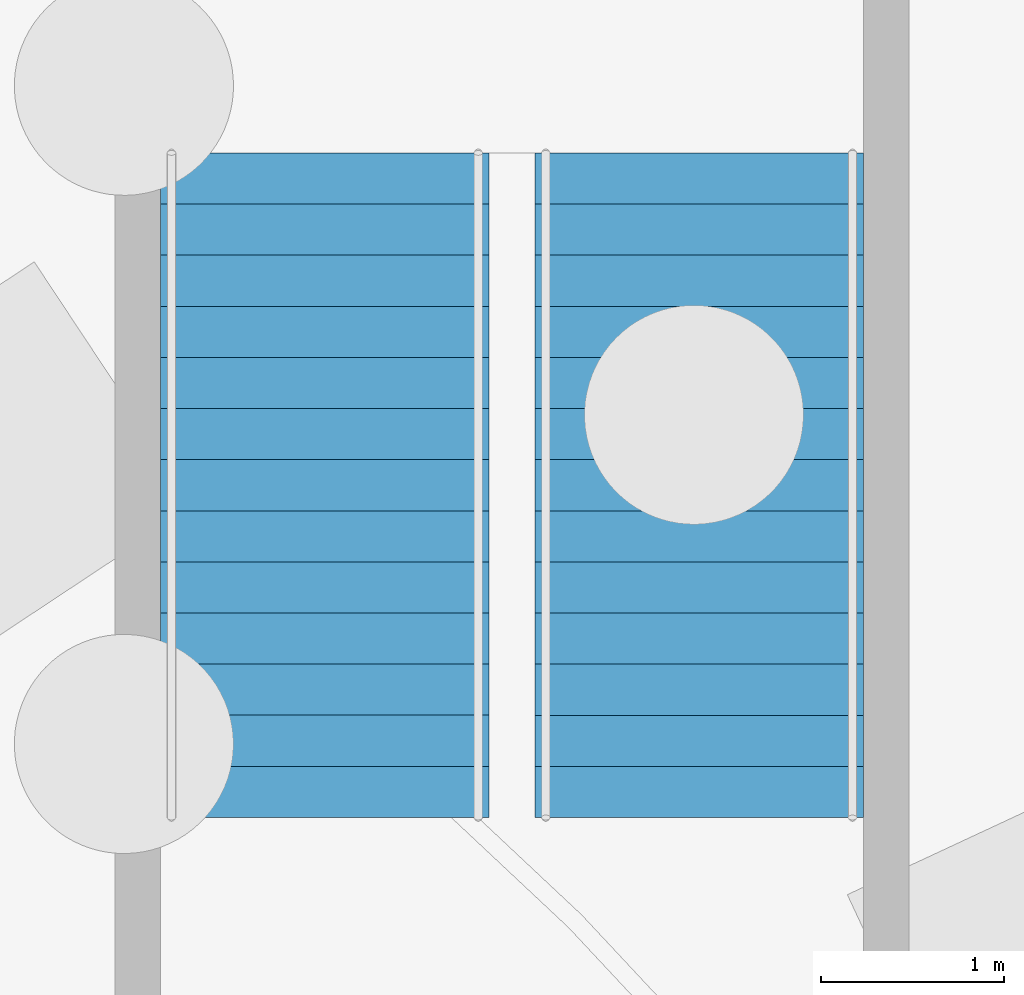
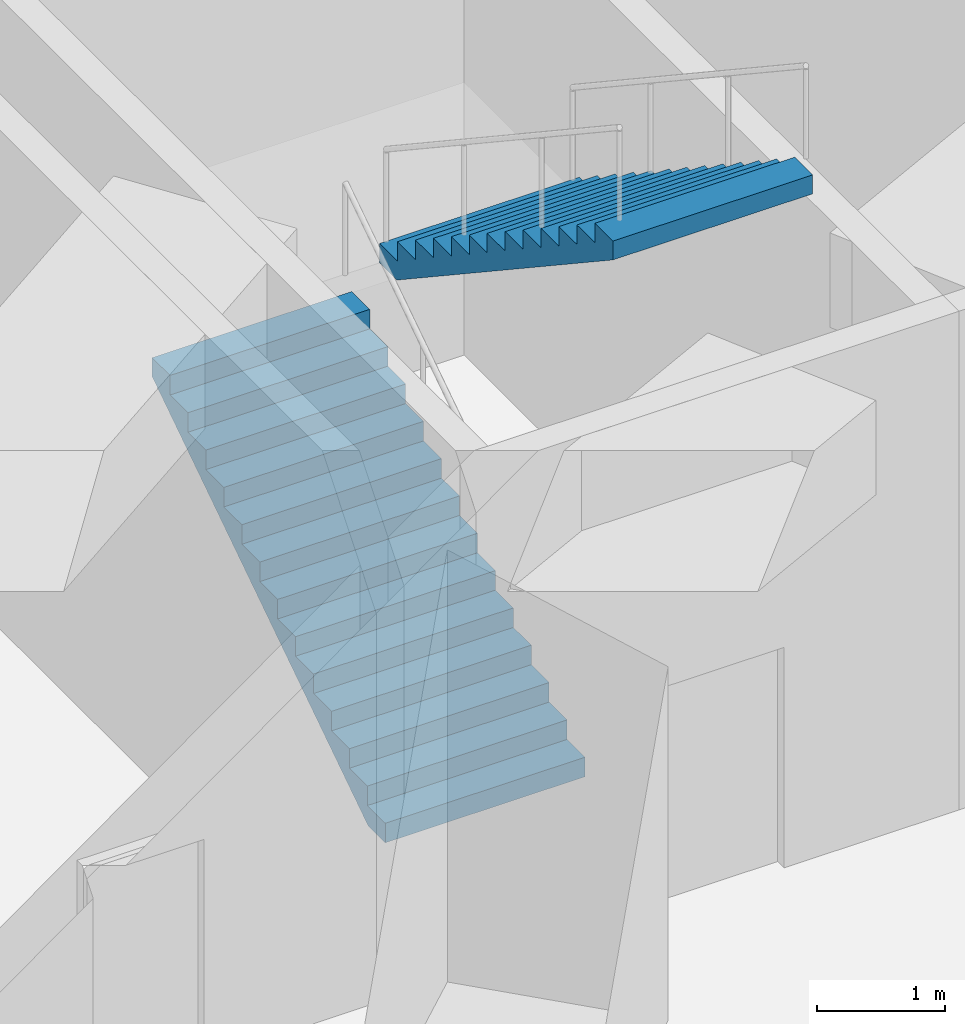
# One storey, part 14 of 18: 2 stair flights, 1 element without a shape of its own.
"""IFC4 building model written with IfcOpenShell, lengths in metres."""

from ifc_helpers import new_model, si_unit, direction, frame, origin, place, context, subcontext, project, spatial, polyline, outline, extrude, material, type_object, element, aggregate, save


model = new_model("IFC4")

# Units and contexts
model_context = context("Model", 3, precision=1e-05, world=origin(), true_north=direction((0.0, 1.0)))
body_context = subcontext(model_context, "Body", "Model", "MODEL_VIEW")
ifc_project = project(units=[si_unit("LENGTHUNIT", "METRE"), si_unit("AREAUNIT", "SQUARE_METRE"), si_unit("VOLUMEUNIT", "CUBIC_METRE"), si_unit("PLANEANGLEUNIT", "RADIAN"), si_unit("MASSUNIT", "GRAM", prefix="KILO")], contexts=[model_context])

# Site, building, storey
site_placement = place(None, origin())
site = spatial("IfcSite", under=ifc_project, at=site_placement, CompositionType="ELEMENT")
building_placement = place(site_placement, origin())
building = spatial("IfcBuilding", under=site, at=building_placement, Name="Taillehof Tower", CompositionType="ELEMENT")
storey_placement = place(building_placement, frame((0.0, 0.0, -10.39990234375)))
storey = spatial("IfcBuildingStorey", under=building, at=storey_placement, Name="B2", CompositionType="ELEMENT", Elevation=-10.39990234375)

# Stair, stair flights
ifc_material_1 = material(Name="Concrete C30/37", Category="concrete")
stair_type = type_object("IfcStairType", Name="Escape stair 1800 mm", PredefinedType="HALF_TURN_STAIR", material=ifc_material_1)
stair_placement = place(storey_placement, origin())
stair = element("IfcStair", 1, at=stair_placement, inside=storey, type_object=stair_type, Name="Escape stair ES5", PredefinedType="HALF_TURN_STAIR")
ifc_material_2 = material(Name="Concrete C30/37", Category="concrete")
stair_flight_type = type_object("IfcStairFlightType", Name="Stair flight 1800 mm", PredefinedType="STRAIGHT", material=ifc_material_2)
stair_flight_1_placement = place(storey_placement, frame((23.47509765625, 19.72509765625, 0.0), z_axis=(0.0, 0.0, 1.0), x_axis=(0.0, 1.0, 0.0)))
stair_flight_1 = element("IfcStairFlight", 2, at=stair_flight_1_placement, type_object=stair_flight_type, Name="ES5 flight 1", NumberOfRisers=14, NumberOfTreads=13, PredefinedType="STRAIGHT", RiserHeight=0.185714286, TreadLength=0.28, context=body_context, shape_type="SweptSolid", body=[
    extrude(outline(polyline([(0.0, 0.0), (0.0, 0.00439453125), (0.0, 0.008544921875), (0.0, 0.012939453125), (0.0, 0.017333984375), (0.0, 0.021484375), (0.0, 0.02587890625), (0.0, 0.0302734375), (0.0, 0.03466796875), (0.0, 0.038818359375), (0.0, 0.043212890625), (0.0, 0.047607421875), (0.0, 0.0517578125), (0.0, 0.05615234375), (0.0, 0.060546875), (0.0, 0.064697265625), (0.0, 0.069091796875), (0.0, 0.073486328125), (0.0, 0.07763671875), (0.0, 0.08203125), (0.0, 0.08642578125), (0.0, 0.090576171875), (0.0, 0.094970703125), (0.0, 0.099365234375), (0.0, 0.103759765625), (0.0, 0.10791015625), (0.0, 0.1123046875), (0.0, 0.11669921875), (0.0, 0.120849609375), (0.0, 0.125244140625), (0.0, 0.129638671875), (0.0, 0.1337890625), (0.0, 0.13818359375), (0.0, 0.142578125), (0.0, 0.146728515625), (0.0, 0.151123046875), (0.0, 0.155517578125), (0.0, 0.159912109375), (0.0, 0.1640625), (0.0, 0.16845703125), (0.0, 0.1728515625), (0.0, 0.177001953125), (0.0, 0.181396484375), (0.0, 0.185791015625), (0.280029296875, 0.185791015625), (0.280029296875, 0.371337890625), (0.56005859375, 0.371337890625), (0.56005859375, 0.55712890625), (0.840087890625, 0.55712890625), (0.840087890625, 0.742919921875), (1.1201171875, 0.742919921875), (1.1201171875, 0.928466796875), (1.39990234375, 0.928466796875), (1.39990234375, 1.1142578125), (1.679931640625, 1.1142578125), (1.679931640625, 1.300048828125), (1.9599609375, 1.300048828125), (1.9599609375, 1.485595703125), (2.239990234375, 1.485595703125), (2.239990234375, 1.67138671875), (2.52001953125, 1.67138671875), (2.52001953125, 1.857177734375), (2.800048828125, 1.857177734375), (2.800048828125, 2.04296875), (3.080078125, 2.04296875), (3.080078125, 2.228515625), (3.360107421875, 2.228515625), (3.360107421875, 2.414306640625), (3.639892578125, 2.414306640625), (3.639892578125, 2.41015625), (3.639892578125, 2.406005859375), (3.639892578125, 2.40185546875), (3.639892578125, 2.3974609375), (3.639892578125, 2.393310546875), (3.639892578125, 2.38916015625), (3.639892578125, 2.385009765625), (3.639892578125, 2.380859375), (3.639892578125, 2.376708984375), (3.639892578125, 2.37255859375), (3.639892578125, 2.3681640625), (3.639892578125, 2.364013671875), (3.639892578125, 2.35986328125), (3.639892578125, 2.355712890625), (3.639892578125, 2.3515625), (3.639892578125, 2.347412109375), (3.639892578125, 2.34326171875), (3.639892578125, 2.3388671875), (3.639892578125, 2.334716796875), (3.639892578125, 2.33056640625), (3.639892578125, 2.326416015625), (3.639892578125, 2.322265625), (3.639892578125, 2.318115234375), (3.639892578125, 2.31396484375), (3.639892578125, 2.309814453125), (3.639892578125, 2.305419921875), (3.639892578125, 2.30126953125), (3.639892578125, 2.297119140625), (3.639892578125, 2.29296875), (3.639892578125, 2.288818359375), (3.639892578125, 2.28466796875), (3.639892578125, 2.280517578125), (3.639892578125, 2.276123046875), (3.639892578125, 2.27197265625), (3.639892578125, 2.267822265625), (3.639892578125, 2.263671875), (3.639892578125, 2.259521484375), (3.639892578125, 2.25537109375), (3.639892578125, 2.251220703125), (3.639892578125, 2.2470703125), (3.639892578125, 2.24267578125), (3.639892578125, 2.238525390625), (3.639892578125, 2.234375), (0.271240234375, 0.0), (0.0, 0.0)])), frame((0.0, 0.89990234375, 0.0), z_axis=(0.0, -1.0, 0.0), x_axis=(1.0, 0.0, 0.0)), (0.0, 0.0, 1.0), 1.8),
])
stair_flight_2_placement = place(storey_placement, frame((25.52490234375, 23.364990234375, 2.599853515625), z_axis=(0.0, 0.0, 1.0), x_axis=(0.0, -1.0, 0.0)))
stair_flight_2 = element("IfcStairFlight", 3, at=stair_flight_2_placement, type_object=stair_flight_type, Name="ES5 flight 2", NumberOfRisers=14, NumberOfTreads=13, PredefinedType="STRAIGHT", RiserHeight=0.185714286, TreadLength=0.28, context=body_context, shape_type="SweptSolid", body=[
    extrude(outline(polyline([(0.0, 0.0), (0.0, 0.00439453125), (0.0, 0.008544921875), (0.0, 0.012939453125), (0.0, 0.017333984375), (0.0, 0.021484375), (0.0, 0.02587890625), (0.0, 0.0302734375), (0.0, 0.03466796875), (0.0, 0.038818359375), (0.0, 0.043212890625), (0.0, 0.047607421875), (0.0, 0.0517578125), (0.0, 0.05615234375), (0.0, 0.060546875), (0.0, 0.064697265625), (0.0, 0.069091796875), (0.0, 0.073486328125), (0.0, 0.07763671875), (0.0, 0.08203125), (0.0, 0.08642578125), (0.0, 0.090576171875), (0.0, 0.094970703125), (0.0, 0.099365234375), (0.0, 0.103759765625), (0.0, 0.10791015625), (0.0, 0.1123046875), (0.0, 0.11669921875), (0.0, 0.120849609375), (0.0, 0.125244140625), (0.0, 0.129638671875), (0.0, 0.1337890625), (0.0, 0.13818359375), (0.0, 0.142578125), (0.0, 0.146728515625), (0.0, 0.151123046875), (0.0, 0.155517578125), (0.0, 0.159912109375), (0.0, 0.1640625), (0.0, 0.16845703125), (0.0, 0.1728515625), (0.0, 0.177001953125), (0.0, 0.181396484375), (0.0, 0.185791015625), (0.280029296875, 0.185791015625), (0.280029296875, 0.371337890625), (0.56005859375, 0.371337890625), (0.56005859375, 0.55712890625), (0.840087890625, 0.55712890625), (0.840087890625, 0.742919921875), (1.1201171875, 0.742919921875), (1.1201171875, 0.928466796875), (1.39990234375, 0.928466796875), (1.39990234375, 1.1142578125), (1.679931640625, 1.1142578125), (1.679931640625, 1.300048828125), (1.9599609375, 1.300048828125), (1.9599609375, 1.485595703125), (2.239990234375, 1.485595703125), (2.239990234375, 1.67138671875), (2.52001953125, 1.67138671875), (2.52001953125, 1.857177734375), (2.800048828125, 1.857177734375), (2.800048828125, 2.04296875), (3.080078125, 2.04296875), (3.080078125, 2.228515625), (3.360107421875, 2.228515625), (3.360107421875, 2.414306640625), (3.639892578125, 2.414306640625), (3.639892578125, 2.41015625), (3.639892578125, 2.406005859375), (3.639892578125, 2.40185546875), (3.639892578125, 2.3974609375), (3.639892578125, 2.393310546875), (3.639892578125, 2.38916015625), (3.639892578125, 2.385009765625), (3.639892578125, 2.380859375), (3.639892578125, 2.376708984375), (3.639892578125, 2.37255859375), (3.639892578125, 2.3681640625), (3.639892578125, 2.364013671875), (3.639892578125, 2.35986328125), (3.639892578125, 2.355712890625), (3.639892578125, 2.3515625), (3.639892578125, 2.347412109375), (3.639892578125, 2.34326171875), (3.639892578125, 2.3388671875), (3.639892578125, 2.334716796875), (3.639892578125, 2.33056640625), (3.639892578125, 2.326416015625), (3.639892578125, 2.322265625), (3.639892578125, 2.318115234375), (3.639892578125, 2.31396484375), (3.639892578125, 2.309814453125), (3.639892578125, 2.305419921875), (3.639892578125, 2.30126953125), (3.639892578125, 2.297119140625), (3.639892578125, 2.29296875), (3.639892578125, 2.288818359375), (3.639892578125, 2.28466796875), (3.639892578125, 2.280517578125), (3.639892578125, 2.276123046875), (3.639892578125, 2.27197265625), (3.639892578125, 2.267822265625), (3.639892578125, 2.263671875), (3.639892578125, 2.259521484375), (3.639892578125, 2.25537109375), (3.639892578125, 2.251220703125), (3.639892578125, 2.2470703125), (3.639892578125, 2.24267578125), (3.639892578125, 2.238525390625), (3.639892578125, 2.234375), (0.271240234375, 0.0), (0.0, 0.0)])), frame((0.0, 0.89990234375, 0.0), z_axis=(0.0, -1.0, 0.0), x_axis=(1.0, 0.0, 0.0)), (0.0, 0.0, 1.0), 1.8),
])
aggregate(stair, [stair_flight_1, stair_flight_2])

save(model, "model.ifc")
